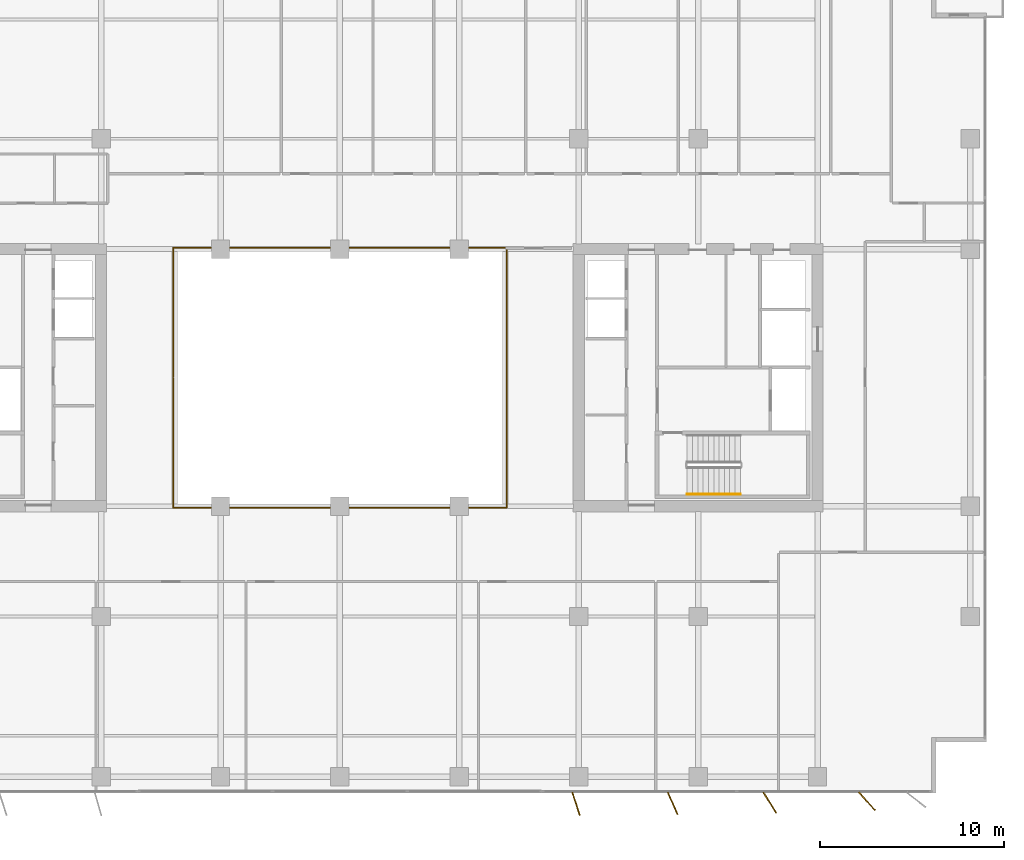
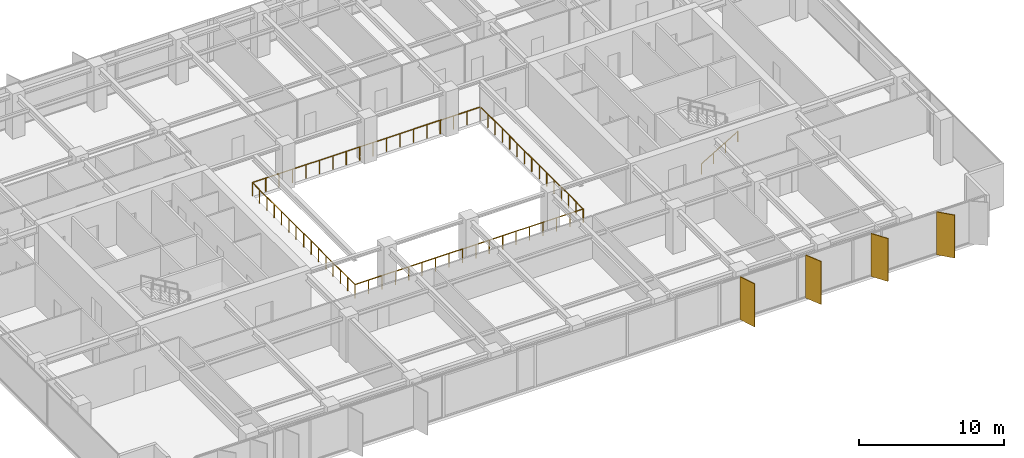
# One storey, part 20 of 22: 4 shading devices, 3 railings.
"""IFC4 building model written with IfcOpenShell, lengths in metres."""

from ifc_helpers import new_model, si_unit, direction, frame, origin, origin_2d, place, context, subcontext, project, spatial, rectangle, circle, extrude, material, layer, layer_set, type_object, element, save


model = new_model("IFC4")

# Units and contexts
model_context = context("Model", 3, precision=1e-05, world=origin(), true_north=direction((0.0, 1.0)))
body_context = subcontext(model_context, "Body", "Model", "MODEL_VIEW")
ifc_project = project(units=[si_unit("LENGTHUNIT", "METRE"), si_unit("AREAUNIT", "SQUARE_METRE"), si_unit("VOLUMEUNIT", "CUBIC_METRE"), si_unit("PLANEANGLEUNIT", "RADIAN"), si_unit("MASSUNIT", "GRAM", prefix="KILO")], contexts=[model_context])

# Site, building, storey
site_placement = place(None, origin())
site = spatial("IfcSite", under=ifc_project, at=site_placement, CompositionType="ELEMENT")
building_placement = place(site_placement, origin())
building = spatial("IfcBuilding", under=site, at=building_placement, Name="Putna Gate Headquarters", CompositionType="ELEMENT")
storey_placement = place(building_placement, frame((0.0, 0.0, 189.800048828125)))
storey = spatial("IfcBuildingStorey", under=building, at=storey_placement, Name="L47", CompositionType="ELEMENT", Elevation=189.800048828125)

# Railings
ifc_material_1 = material(Name="Anodised bronze and laminated glass atrium balustrade", Category="glass")
railing_type_1 = type_object("IfcRailingType", Name="RAIL-ATRIUM-GUARD-1150", PredefinedType="GUARDRAIL", material=ifc_material_1)
railing_1_placement = place(storey_placement, frame((29.919921875, 25.969970703125, 0.0)))
element("IfcRailing", 1, at=railing_1_placement, inside=storey, type_object=railing_type_1, Name="L47 Central Atrium Glazed Balustrade South", PredefinedType="GUARDRAIL", context=body_context, shape_type="SweptSolid", body=[
    extrude(circle(Radius=0.02392578125, at=origin_2d()), frame((0.0, 0.0, 1.1259765625), z_axis=(0.0, -1.0, 0.0), x_axis=(1.0, 0.0, 0.0)), (0.0, 0.0, 1.0), 7.050048828125),
    extrude(circle(Radius=0.02392578125, at=origin_2d()), frame((0.0, -7.050048828125, 1.1259765625), z_axis=(1.0, 0.0, 0.0), x_axis=(0.0, 1.0, 0.0)), (0.0, 0.0, 1.0), 18.16015625),
    extrude(circle(Radius=0.02392578125, at=origin_2d()), frame((18.16015625, -7.050048828125, 1.1259765625), z_axis=(0.0, 1.0, 0.0), x_axis=(-1.0, 0.0, 0.0)), (0.0, 0.0, 1.0), 7.050048828125),
    extrude(circle(Radius=0.02099609375, at=origin_2d()), origin(), (0.0, 0.0, 1.0), 1.101806640625),
    extrude(circle(Radius=0.02099609375, at=origin_2d()), frame((0.0, -1.007080078125, 0.0)), (0.0, 0.0, 1.0), 1.101806640625),
    extrude(circle(Radius=0.02099609375, at=origin_2d()), frame((0.0, -2.014404296875, 0.0)), (0.0, 0.0, 1.0), 1.101806640625),
    extrude(circle(Radius=0.02099609375, at=origin_2d()), frame((0.0, -3.021484375, 0.0)), (0.0, 0.0, 1.0), 1.101806640625),
    extrude(circle(Radius=0.02099609375, at=origin_2d()), frame((0.0, -4.028564453125, 0.0)), (0.0, 0.0, 1.0), 1.101806640625),
    extrude(circle(Radius=0.02099609375, at=origin_2d()), frame((0.0, -5.03564453125, 0.0)), (0.0, 0.0, 1.0), 1.101806640625),
    extrude(circle(Radius=0.02099609375, at=origin_2d()), frame((0.0, -6.04296875, 0.0)), (0.0, 0.0, 1.0), 1.101806640625),
    extrude(circle(Radius=0.02099609375, at=origin_2d()), frame((0.0, -7.050048828125, 0.0)), (0.0, 0.0, 1.0), 1.101806640625),
    extrude(circle(Radius=0.02099609375, at=origin_2d()), frame((1.068359375, -7.050048828125, 0.0)), (0.0, 0.0, 1.0), 1.101806640625),
    extrude(circle(Radius=0.02099609375, at=origin_2d()), frame((2.136474609375, -7.050048828125, 0.0)), (0.0, 0.0, 1.0), 1.101806640625),
    extrude(circle(Radius=0.02099609375, at=origin_2d()), frame((3.204833984375, -7.050048828125, 0.0)), (0.0, 0.0, 1.0), 1.101806640625),
    extrude(circle(Radius=0.02099609375, at=origin_2d()), frame((4.27294921875, -7.050048828125, 0.0)), (0.0, 0.0, 1.0), 1.101806640625),
    extrude(circle(Radius=0.02099609375, at=origin_2d()), frame((5.34130859375, -7.050048828125, 0.0)), (0.0, 0.0, 1.0), 1.101806640625),
    extrude(circle(Radius=0.02099609375, at=origin_2d()), frame((6.409423828125, -7.050048828125, 0.0)), (0.0, 0.0, 1.0), 1.101806640625),
    extrude(circle(Radius=0.02099609375, at=origin_2d()), frame((7.477783203125, -7.050048828125, 0.0)), (0.0, 0.0, 1.0), 1.101806640625),
    extrude(circle(Radius=0.02099609375, at=origin_2d()), frame((8.5458984375, -7.050048828125, 0.0)), (0.0, 0.0, 1.0), 1.101806640625),
    extrude(circle(Radius=0.02099609375, at=origin_2d()), frame((9.6142578125, -7.050048828125, 0.0)), (0.0, 0.0, 1.0), 1.101806640625),
    extrude(circle(Radius=0.02099609375, at=origin_2d()), frame((10.682373046875, -7.050048828125, 0.0)), (0.0, 0.0, 1.0), 1.101806640625),
    extrude(circle(Radius=0.02099609375, at=origin_2d()), frame((11.750732421875, -7.050048828125, 0.0)), (0.0, 0.0, 1.0), 1.101806640625),
    extrude(circle(Radius=0.02099609375, at=origin_2d()), frame((12.81884765625, -7.050048828125, 0.0)), (0.0, 0.0, 1.0), 1.101806640625),
    extrude(circle(Radius=0.02099609375, at=origin_2d()), frame((13.88720703125, -7.050048828125, 0.0)), (0.0, 0.0, 1.0), 1.101806640625),
    extrude(circle(Radius=0.02099609375, at=origin_2d()), frame((14.955322265625, -7.050048828125, 0.0)), (0.0, 0.0, 1.0), 1.101806640625),
    extrude(circle(Radius=0.02099609375, at=origin_2d()), frame((16.023681640625, -7.050048828125, 0.0)), (0.0, 0.0, 1.0), 1.101806640625),
    extrude(circle(Radius=0.02099609375, at=origin_2d()), frame((17.091796875, -7.050048828125, 0.0)), (0.0, 0.0, 1.0), 1.101806640625),
    extrude(circle(Radius=0.02099609375, at=origin_2d()), frame((18.16015625, -7.050048828125, 0.0)), (0.0, 0.0, 1.0), 1.101806640625),
    extrude(circle(Radius=0.02099609375, at=origin_2d()), frame((18.16015625, -6.04296875, 0.0)), (0.0, 0.0, 1.0), 1.101806640625),
    extrude(circle(Radius=0.02099609375, at=origin_2d()), frame((18.16015625, -5.03564453125, 0.0)), (0.0, 0.0, 1.0), 1.101806640625),
    extrude(circle(Radius=0.02099609375, at=origin_2d()), frame((18.16015625, -4.028564453125, 0.0)), (0.0, 0.0, 1.0), 1.101806640625),
    extrude(circle(Radius=0.02099609375, at=origin_2d()), frame((18.16015625, -3.021484375, 0.0)), (0.0, 0.0, 1.0), 1.101806640625),
    extrude(circle(Radius=0.02099609375, at=origin_2d()), frame((18.16015625, -2.014404296875, 0.0)), (0.0, 0.0, 1.0), 1.101806640625),
    extrude(circle(Radius=0.02099609375, at=origin_2d()), frame((18.16015625, -1.007080078125, 0.0)), (0.0, 0.0, 1.0), 1.101806640625),
    extrude(circle(Radius=0.02099609375, at=origin_2d()), frame((18.16015625, 0.0, 0.0)), (0.0, 0.0, 1.0), 1.101806640625),
])
railing_2_placement = place(storey_placement, frame((48.080078125, 26.030029296875, 0.0)))
element("IfcRailing", 2, at=railing_2_placement, inside=storey, type_object=railing_type_1, Name="L47 Central Atrium Glazed Balustrade North", PredefinedType="GUARDRAIL", context=body_context, shape_type="SweptSolid", body=[
    extrude(circle(Radius=0.02392578125, at=origin_2d()), frame((0.0, 0.0, 1.1259765625), z_axis=(0.0, 1.0, 0.0), x_axis=(-1.0, 0.0, 0.0)), (0.0, 0.0, 1.0), 7.050048828125),
    extrude(circle(Radius=0.02392578125, at=origin_2d()), frame((0.0, 7.050048828125, 1.1259765625), z_axis=(-1.0, 0.0, 0.0), x_axis=(0.0, -1.0, 0.0)), (0.0, 0.0, 1.0), 18.16015625),
    extrude(circle(Radius=0.02392578125, at=origin_2d()), frame((-18.16015625, 7.050048828125, 1.1259765625), z_axis=(0.0, -1.0, 0.0), x_axis=(1.0, 0.0, 0.0)), (0.0, 0.0, 1.0), 7.050048828125),
    extrude(circle(Radius=0.02099609375, at=origin_2d()), origin(), (0.0, 0.0, 1.0), 1.101806640625),
    extrude(circle(Radius=0.02099609375, at=origin_2d()), frame((0.0, 1.007080078125, 0.0)), (0.0, 0.0, 1.0), 1.101806640625),
    extrude(circle(Radius=0.02099609375, at=origin_2d()), frame((0.0, 2.014404296875, 0.0)), (0.0, 0.0, 1.0), 1.101806640625),
    extrude(circle(Radius=0.02099609375, at=origin_2d()), frame((0.0, 3.021484375, 0.0)), (0.0, 0.0, 1.0), 1.101806640625),
    extrude(circle(Radius=0.02099609375, at=origin_2d()), frame((0.0, 4.028564453125, 0.0)), (0.0, 0.0, 1.0), 1.101806640625),
    extrude(circle(Radius=0.02099609375, at=origin_2d()), frame((0.0, 5.03564453125, 0.0)), (0.0, 0.0, 1.0), 1.101806640625),
    extrude(circle(Radius=0.02099609375, at=origin_2d()), frame((0.0, 6.04296875, 0.0)), (0.0, 0.0, 1.0), 1.101806640625),
    extrude(circle(Radius=0.02099609375, at=origin_2d()), frame((0.0, 7.050048828125, 0.0)), (0.0, 0.0, 1.0), 1.101806640625),
    extrude(circle(Radius=0.02099609375, at=origin_2d()), frame((-1.068359375, 7.050048828125, 0.0)), (0.0, 0.0, 1.0), 1.101806640625),
    extrude(circle(Radius=0.02099609375, at=origin_2d()), frame((-2.136474609375, 7.050048828125, 0.0)), (0.0, 0.0, 1.0), 1.101806640625),
    extrude(circle(Radius=0.02099609375, at=origin_2d()), frame((-3.204833984375, 7.050048828125, 0.0)), (0.0, 0.0, 1.0), 1.101806640625),
    extrude(circle(Radius=0.02099609375, at=origin_2d()), frame((-4.27294921875, 7.050048828125, 0.0)), (0.0, 0.0, 1.0), 1.101806640625),
    extrude(circle(Radius=0.02099609375, at=origin_2d()), frame((-5.34130859375, 7.050048828125, 0.0)), (0.0, 0.0, 1.0), 1.101806640625),
    extrude(circle(Radius=0.02099609375, at=origin_2d()), frame((-6.409423828125, 7.050048828125, 0.0)), (0.0, 0.0, 1.0), 1.101806640625),
    extrude(circle(Radius=0.02099609375, at=origin_2d()), frame((-7.477783203125, 7.050048828125, 0.0)), (0.0, 0.0, 1.0), 1.101806640625),
    extrude(circle(Radius=0.02099609375, at=origin_2d()), frame((-8.5458984375, 7.050048828125, 0.0)), (0.0, 0.0, 1.0), 1.101806640625),
    extrude(circle(Radius=0.02099609375, at=origin_2d()), frame((-9.6142578125, 7.050048828125, 0.0)), (0.0, 0.0, 1.0), 1.101806640625),
    extrude(circle(Radius=0.02099609375, at=origin_2d()), frame((-10.682373046875, 7.050048828125, 0.0)), (0.0, 0.0, 1.0), 1.101806640625),
    extrude(circle(Radius=0.02099609375, at=origin_2d()), frame((-11.750732421875, 7.050048828125, 0.0)), (0.0, 0.0, 1.0), 1.101806640625),
    extrude(circle(Radius=0.02099609375, at=origin_2d()), frame((-12.81884765625, 7.050048828125, 0.0)), (0.0, 0.0, 1.0), 1.101806640625),
    extrude(circle(Radius=0.02099609375, at=origin_2d()), frame((-13.88720703125, 7.050048828125, 0.0)), (0.0, 0.0, 1.0), 1.101806640625),
    extrude(circle(Radius=0.02099609375, at=origin_2d()), frame((-14.955322265625, 7.050048828125, 0.0)), (0.0, 0.0, 1.0), 1.101806640625),
    extrude(circle(Radius=0.02099609375, at=origin_2d()), frame((-16.023681640625, 7.050048828125, 0.0)), (0.0, 0.0, 1.0), 1.101806640625),
    extrude(circle(Radius=0.02099609375, at=origin_2d()), frame((-17.091796875, 7.050048828125, 0.0)), (0.0, 0.0, 1.0), 1.101806640625),
    extrude(circle(Radius=0.02099609375, at=origin_2d()), frame((-18.16015625, 7.050048828125, 0.0)), (0.0, 0.0, 1.0), 1.101806640625),
    extrude(circle(Radius=0.02099609375, at=origin_2d()), frame((-18.16015625, 6.04296875, 0.0)), (0.0, 0.0, 1.0), 1.101806640625),
    extrude(circle(Radius=0.02099609375, at=origin_2d()), frame((-18.16015625, 5.03564453125, 0.0)), (0.0, 0.0, 1.0), 1.101806640625),
    extrude(circle(Radius=0.02099609375, at=origin_2d()), frame((-18.16015625, 4.028564453125, 0.0)), (0.0, 0.0, 1.0), 1.101806640625),
    extrude(circle(Radius=0.02099609375, at=origin_2d()), frame((-18.16015625, 3.021484375, 0.0)), (0.0, 0.0, 1.0), 1.101806640625),
    extrude(circle(Radius=0.02099609375, at=origin_2d()), frame((-18.16015625, 2.014404296875, 0.0)), (0.0, 0.0, 1.0), 1.101806640625),
    extrude(circle(Radius=0.02099609375, at=origin_2d()), frame((-18.16015625, 1.007080078125, 0.0)), (0.0, 0.0, 1.0), 1.101806640625),
    extrude(circle(Radius=0.02099609375, at=origin_2d()), frame((-18.16015625, 0.0, 0.0)), (0.0, 0.0, 1.0), 1.101806640625),
])
ifc_material_2 = material(Name="Brushed stainless steel handrail", Category="steel")
railing_type_2 = type_object("IfcRailingType", Name="RAIL-STAIR-HAND-900", PredefinedType="HANDRAIL", material=ifc_material_2)
railing_3_placement = place(storey_placement, frame((57.89990234375, 19.64990234375, 0.172607421875)))
element("IfcRailing", 3, at=railing_3_placement, inside=storey, type_object=railing_type_2, Name="L47 ST2 stair handrail 1", PredefinedType="HANDRAIL", context=body_context, shape_type="SweptSolid", body=[
    extrude(circle(Radius=0.02392578125, at=origin_2d()), frame((0.0, 0.0, 0.8759765625), z_axis=(0.859160404282, 0.0, 0.51170636083), x_axis=(0.0, 1.0, 0.0)), (0.0, 0.0, 1.0), 3.37548828125),
    extrude(circle(Radius=0.02099609375, at=origin_2d()), origin(), (0.0, 0.0, 1.0), 0.851806640625),
    extrude(circle(Radius=0.02099609375, at=origin_2d()), frame((0.966796875, 0.0, 0.57568359375)), (0.0, 0.0, 1.0), 0.851806640625),
    extrude(circle(Radius=0.02099609375, at=origin_2d()), frame((1.933349609375, 0.0, 1.151611328125)), (0.0, 0.0, 1.0), 0.851806640625),
    extrude(circle(Radius=0.02099609375, at=origin_2d()), frame((2.900146484375, 0.0, 1.727294921875)), (0.0, 0.0, 1.0), 0.851806640625),
])

# Shading devices
ifc_material_3 = material(Name="Anodised architectural bronze aluminium fin", Category="aluminium")
ifc_layer = layer(ifc_material_3, 0.06494140625)
ifc_layer_set = layer_set([ifc_layer], Name="Anodised architectural bronze aluminium fin")
shading_device_type = type_object("IfcShadingDeviceType", Name="SHADE-BRONZE-FIN-1320", PredefinedType="USERDEFINED", material=ifc_layer_set)
for number, where, z_axis, x_axis, name in (
    (4, (51.853759765625, 2.797119140625, -0.02001953125), (0.0, 0.0, 1.0), (0.308684994204, -0.951164325631, 0.0), "L47 Bronze Vertical Shading Fin S7"),
    (5, (57.114501953125, 2.8203125, -0.02001953125), (0.0, 0.0, 1.0), (0.400668879095, -0.916222925562, 0.0), "L47 Bronze Vertical Shading Fin S8"),
    (6, (62.400146484375, 2.865478515625, -0.02001953125), (0.0, 0.0, 1.0), (0.530659123936, -0.847585331506, 0.0), "L47 Bronze Vertical Shading Fin S9"),
    (7, (67.691650390625, 2.9345703125, -0.02001953125), (0.0, 0.0, 1.0), (0.669130606359, -0.743144825477, 0.0), "L47 Bronze Vertical Shading Fin S10"),
):
    element("IfcShadingDevice", number, at=place(storey_placement, frame(where, z_axis=z_axis, x_axis=x_axis)), inside=storey, type_object=shading_device_type, Name=name, ObjectType="FIN", PredefinedType="USERDEFINED", context=body_context, shape_type="SweptSolid", body=[
        extrude(rectangle(XDim=1.320068359375, YDim=0.06494140625, at=origin_2d()), origin(), (0.0, 0.0, 1.0), 3.612060546875),
    ])

save(model, "model.ifc")
